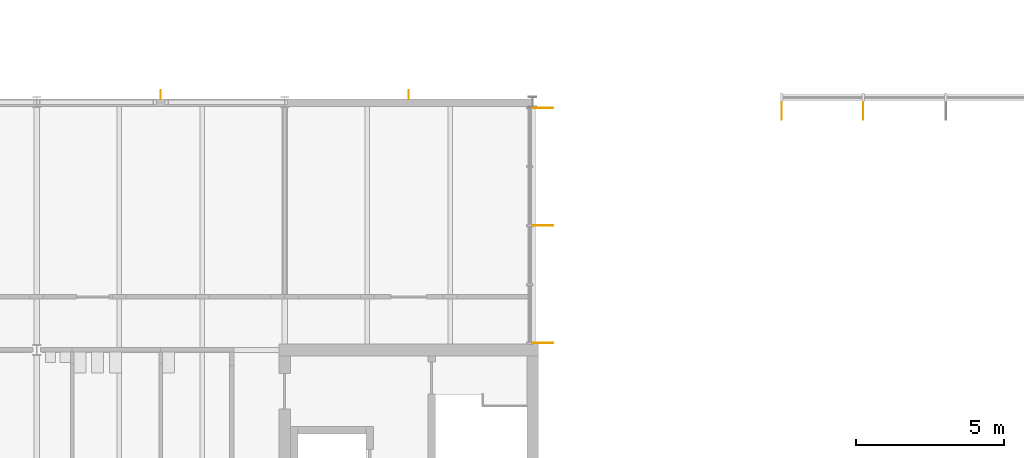
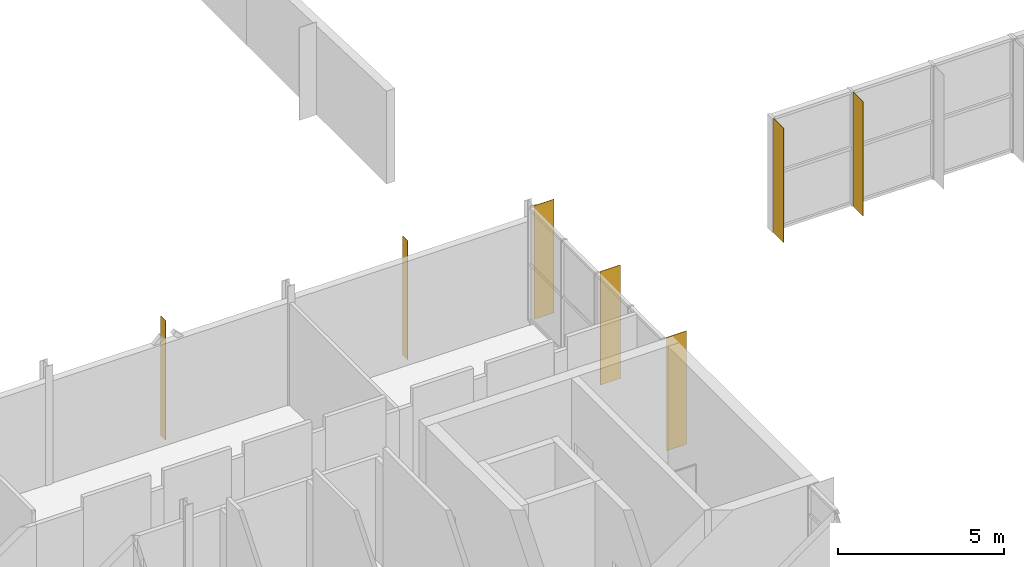
# One storey, part 63 of 72: 7 shading devices.
"""IFC4 building model written with IfcOpenShell, lengths in metres."""

import ifcopenshell
import ifcopenshell.guid

model = None  # the IFC model being written
_history = None  # IfcOwnerHistory: only IFC2X3 demands one
_inside = {}  # id of a spatial element -> (the spatial element, [elements in it])
_under = {}  # id of a project, library or spatial element -> (it, [spatial elements below it])
_declared = {}  # id of a project -> (the project, [libraries it declares])
_typed = {}  # id of a type object -> (the type object, [elements of that type])
_made_of = {}  # id of a material, layer set ... -> (it, [elements and type objects made of it])


def new_model(schema):
    """Start an empty IFC model of exactly this schema.

    Asked for "IFC4X3", IfcOpenShell would pick the latest addendum, in which some entities
    have other attributes; the version numbers below select the first issue.
    IFC2X3 requires an IfcOwnerHistory on every rooted entity: one is made here for all.
    """
    global model, _history
    if schema == "IFC4X3":
        model = ifcopenshell.file(schema_version=(4, 3, 0, 0))
    else:
        model = ifcopenshell.file(schema=schema)
    _inside.clear()
    _under.clear()
    _declared.clear()
    _typed.clear()
    _made_of.clear()
    _history = None
    if model.schema == "IFC2X3":
        org = make("IfcOrganization", Name="unknown")
        user = make(
            "IfcPersonAndOrganization",
            ThePerson=make("IfcPerson", FamilyName="unknown"),
            TheOrganization=org,
        )
        app = make(
            "IfcApplication",
            ApplicationDeveloper=org,
            Version="unknown",
            ApplicationFullName="unknown",
            ApplicationIdentifier="unknown",
        )
        _history = make(
            "IfcOwnerHistory",
            OwningUser=user,
            OwningApplication=app,
            ChangeAction="ADDED",
            CreationDate=0,
        )
    return model


def make(cls, **values):
    """One entity of the class cls with the attributes given. An attribute that is None is left unset."""
    return model.create_entity(
        cls, **{name: value for name, value in values.items() if value is not None}
    )


def rooted(cls, **values):
    """An entity with a GlobalId (a new one), such as an element, a storey or a relation."""
    return make(cls, GlobalId=ifcopenshell.guid.new(), OwnerHistory=_history, **values)


def si_unit(unit_type, name, prefix=None):
    """IfcSIUnit, for example si_unit("LENGTHUNIT", "METRE", prefix="MILLI")."""
    return make("IfcSIUnit", UnitType=unit_type, Prefix=prefix, Name=name)


def assignment(units):
    """IfcUnitAssignment: the units of a project."""
    return None if units is None else make("IfcUnitAssignment", Units=units)


def point(xyz):
    """IfcCartesianPoint."""
    return None if xyz is None else make("IfcCartesianPoint", Coordinates=xyz)


def direction(xyz):
    """IfcDirection."""
    return None if xyz is None else make("IfcDirection", DirectionRatios=xyz)


def frame(location, z_axis=None, x_axis=None):
    """IfcAxis2Placement3D, a coordinate frame: its origin and axes. An axis left out is left unset."""
    return make(
        "IfcAxis2Placement3D",
        Location=point(location),
        Axis=direction(z_axis),
        RefDirection=direction(x_axis),
    )


def frame_2d(location, x_axis=None):
    """IfcAxis2Placement2D, a coordinate frame in the plane: its origin and x axis."""
    return make(
        "IfcAxis2Placement2D", Location=point(location), RefDirection=direction(x_axis)
    )


def origin():
    """The frame at (0, 0, 0) with its axes left unset."""
    return frame((0.0, 0.0, 0.0))


def origin_2d():
    """The frame at (0, 0) in the plane with its x axis left unset."""
    return frame_2d((0.0, 0.0))


def place(relative_to, where):
    """IfcLocalPlacement: puts the frame where relative to a parent placement (None: the world)."""
    return make(
        "IfcLocalPlacement", PlacementRelTo=relative_to, RelativePlacement=where
    )


def context(
    kind, dimensions, precision=None, world=None, true_north=None, identifier=None
):
    """IfcGeometricRepresentationContext, for example the 3D "Model" context."""
    return make(
        "IfcGeometricRepresentationContext",
        ContextIdentifier=identifier,
        ContextType=kind,
        CoordinateSpaceDimension=dimensions,
        Precision=precision,
        WorldCoordinateSystem=world,
        TrueNorth=true_north,
    )


def subcontext(parent, identifier, kind, view, scale=None):
    """IfcGeometricRepresentationSubContext, for example "Body" below "Model"."""
    return make(
        "IfcGeometricRepresentationSubContext",
        ContextIdentifier=identifier,
        ContextType=kind,
        ParentContext=parent,
        TargetScale=scale,
        TargetView=view,
    )


def project(units=None, contexts=None):
    """IfcProject with its units and contexts."""
    return rooted(
        "IfcProject",
        Name="project",
        RepresentationContexts=contexts,
        UnitsInContext=assignment(units),
    )


def spatial(cls, under=None, at=None, **own):
    """A site, building, storey or space (cls), placed at a placement, below another one or the project."""
    s = rooted(cls, ObjectPlacement=at, **own)
    if under is not None:
        _under.setdefault(under.id(), (under, []))[1].append(s)
    return s


def profile(cls, at=None, kind="AREA", **sizes):
    """A parametric profile (cls). Its sizes go by their IFC names, for example OverallWidth=200.0."""
    return make(cls, ProfileType=kind, Position=at, **sizes)


def rectangle(**sizes):
    """IfcRectangleProfileDef."""
    return profile("IfcRectangleProfileDef", **sizes)


def extrude(swept, where, along, depth):
    """IfcExtrudedAreaSolid: the profile swept, set in the frame where, extruded along a direction by depth."""
    return make(
        "IfcExtrudedAreaSolid",
        SweptArea=swept,
        Position=where,
        ExtrudedDirection=direction(along),
        Depth=depth,
    )


def shape(context_of_items, identifier, shape_type, items):
    """IfcShapeRepresentation: the items that make up one representation, for example the "Body"."""
    return make(
        "IfcShapeRepresentation",
        ContextOfItems=context_of_items,
        RepresentationIdentifier=identifier,
        RepresentationType=shape_type,
        Items=items,
    )


def material(Name=None, Category=None):
    """IfcMaterial."""
    return make("IfcMaterial", Name=Name, Category=Category)


def layer(
    of_material, thickness, ventilated=None, Name=None, Category=None, Priority=None
):
    """IfcMaterialLayer: one layer of a wall or slab, of a material (None: an air gap)."""
    return make(
        "IfcMaterialLayer",
        Material=of_material,
        LayerThickness=thickness,
        IsVentilated=ventilated,
        Name=Name,
        Category=Category,
        Priority=Priority,
    )


def layer_set(layers, Name=None):
    """IfcMaterialLayerSet."""
    return make("IfcMaterialLayerSet", MaterialLayers=layers, LayerSetName=Name)


def made_of(thing, what):
    """Note that an element or type object is made of a material, layer set ...; save() writes the relation."""
    if what is not None:
        _made_of.setdefault(what.id(), (what, []))[1].append(thing)
    return thing


def type_object(cls, material=None, **own):
    """A type object (cls), such as IfcWallType, which elements share."""
    return made_of(rooted(cls, **own), material)


def element(
    cls,
    number,
    at=None,
    inside=None,
    cuts=None,
    type_object=None,
    material=None,
    context=None,
    identifier="Body",
    shape_type=None,
    held_by="IfcProductDefinitionShape",
    body=None,
    shapes=None,
    **own,
):
    """One element of the class cls, such as IfcWall. Its Tag is "e" and its number.

    at: its placement. inside: the storey or other place that contains it. cuts: it is an
    opening in that element (IfcRelVoidsElement). A single representation is given by context,
    identifier, shape_type and body (its items); several are given by shapes. held_by: the class
    of the entity that holds the representations. save() writes the other relations.
    """
    e = rooted(cls, Tag="e%d" % number, ObjectPlacement=at, **own)
    if body is not None:
        shapes = [shape(context, identifier, shape_type, body)]
    if shapes is not None:
        e.Representation = make(held_by, Representations=shapes)
    if inside is not None:
        _inside.setdefault(inside.id(), (inside, []))[1].append(e)
    if cuts is not None:
        rooted(
            "IfcRelVoidsElement", RelatingBuildingElement=cuts, RelatedOpeningElement=e
        )
    if type_object is not None:
        _typed.setdefault(type_object.id(), (type_object, []))[1].append(e)
    return made_of(e, material)


def aggregate(whole, parts):
    """IfcRelAggregates: a whole, such as a stair, and the parts it consists of."""
    return rooted("IfcRelAggregates", RelatingObject=whole, RelatedObjects=parts)


def save(model, path):
    """Write the relations noted so far, then the file.

    IfcRelAggregates (storeys below a building ...), IfcRelContainedInSpatialStructure (elements
    in a storey), IfcRelDefinesByType, IfcRelAssociatesMaterial and IfcRelDeclares: one each for
    every whole, place, type object, material and project.
    """
    for whole, parts in _under.values():
        aggregate(whole, parts)
    for where, things in _inside.values():
        rooted(
            "IfcRelContainedInSpatialStructure",
            RelatedElements=things,
            RelatingStructure=where,
        )
    for kind, things in _typed.values():
        rooted("IfcRelDefinesByType", RelatedObjects=things, RelatingType=kind)
    for what, things in _made_of.values():
        rooted("IfcRelAssociatesMaterial", RelatedObjects=things, RelatingMaterial=what)
    for by, libraries in _declared.values():
        rooted("IfcRelDeclares", RelatingContext=by, RelatedDefinitions=libraries)
    model.write(path)


model = new_model("IFC4")

# Units and contexts
model_context = context("Model", 3, precision=1e-05, world=origin(), true_north=direction((0.0, 1.0)))
body_context = subcontext(model_context, "Body", "Model", "MODEL_VIEW")
ifc_project = project(units=[si_unit("LENGTHUNIT", "METRE"), si_unit("AREAUNIT", "SQUARE_METRE"), si_unit("VOLUMEUNIT", "CUBIC_METRE"), si_unit("PLANEANGLEUNIT", "RADIAN"), si_unit("MASSUNIT", "GRAM", prefix="KILO")], contexts=[model_context])

# Site, building, storey
site_placement = place(None, origin())
site = spatial("IfcSite", under=ifc_project, at=site_placement, CompositionType="ELEMENT")
building_placement = place(site_placement, origin())
building = spatial("IfcBuilding", under=site, at=building_placement, Name="Hlaing Beacon Police Headquarters", CompositionType="ELEMENT")
storey_placement = place(building_placement, frame((0.0, 0.0, 14.39990234375)))
storey = spatial("IfcBuildingStorey", under=building, at=storey_placement, Name="L03", CompositionType="ELEMENT", Elevation=14.39990234375)

# Shading devices
ifc_material_1 = material(Name="Aluminium 6063-T5 anodised", Category="aluminium")
ifc_layer_1 = layer(ifc_material_1, 0.011962890625)
ifc_layer_set_1 = layer_set([ifc_layer_1], Name="Aluminium 6063-T5 anodised")
shading_device_type_1 = type_object("IfcShadingDeviceType", Name="Aluminium fin 12x300", PredefinedType="JALOUSIE", material=ifc_layer_set_1)
for number, where, z_axis, x_axis, name in (
    (1, (54.60009765625, 33.85009765625, 0.0), (0.0, 0.0, 1.0), (-1.0, 0.0, 0.0), "Fin L03 N005"),
    (2, (46.199951171875, 33.85009765625, 0.0), (0.0, 0.0, 1.0), (-1.0, 0.0, 0.0), "Fin L03 N006"),
):
    element("IfcShadingDevice", number, at=place(storey_placement, frame(where, z_axis=z_axis, x_axis=x_axis)), inside=storey, type_object=shading_device_type_1, Name=name, PredefinedType="JALOUSIE", context=body_context, shape_type="SweptSolid", body=[
        extrude(rectangle(XDim=0.011962890625, YDim=0.300048828125, at=origin_2d()), origin(), (0.0, 0.0, 1.0), 4.3701171875),
    ])
ifc_material_2 = material(Name="Aluminium 6063-T5 anodised", Category="aluminium")
ifc_layer_2 = layer(ifc_material_2, 0.011962890625)
ifc_layer_set_2 = layer_set([ifc_layer_2], Name="Aluminium 6063-T5 anodised")
shading_device_type_2 = type_object("IfcShadingDeviceType", Name="Aluminium fin 12x600", PredefinedType="JALOUSIE", material=ifc_layer_set_2)
for number, where, z_axis, x_axis, name in (
    (3, (67.239990234375, 33.300048828125, 0.304931640625), (0.0, 0.0, 1.0), (1.0, 0.0, 0.0), "Fin L03 S003.0"),
    (4, (70.0, 33.300048828125, 0.304931640625), (0.0, 0.0, 1.0), (1.0, 0.0, 0.0), "Fin L03 S003.1"),
):
    element("IfcShadingDevice", number, at=place(storey_placement, frame(where, z_axis=z_axis, x_axis=x_axis)), inside=storey, type_object=shading_device_type_2, Name=name, PredefinedType="JALOUSIE", context=body_context, shape_type="SweptSolid", body=[
        extrude(rectangle(XDim=0.011962890625, YDim=0.60009765625, at=origin_2d()), origin(), (0.0, 0.0, 1.0), 4.1953125),
    ])
ifc_material_3 = material(Name="Aluminium 6063-T5 anodised", Category="aluminium")
ifc_layer_3 = layer(ifc_material_3, 0.01611328125)
ifc_layer_set_3 = layer_set([ifc_layer_3], Name="Aluminium 6063-T5 anodised")
shading_device_type_3 = type_object("IfcShadingDeviceType", Name="Aluminium fin 16x700", PredefinedType="JALOUSIE", material=ifc_layer_set_3)
for number, where, z_axis, x_axis, name in (
    (5, (59.14990234375, 25.429931640625, 0.2080078125), (0.0, 0.0, 1.0), (0.0, 1.0, 0.0), "Fin L03 E014.0"),
    (6, (59.14990234375, 29.41162109375, 0.2080078125), (0.0, 0.0, 1.0), (0.0, 1.0, 0.0), "Fin L03 E014.2"),
    (7, (59.14990234375, 33.3935546875, 0.2080078125), (0.0, 0.0, 1.0), (0.0, 1.0, 0.0), "Fin L03 E014.4"),
):
    element("IfcShadingDevice", number, at=place(storey_placement, frame(where, z_axis=z_axis, x_axis=x_axis)), inside=storey, type_object=shading_device_type_3, Name=name, PredefinedType="JALOUSIE", context=body_context, shape_type="SweptSolid", body=[
        extrude(rectangle(XDim=0.01611328125, YDim=0.699951171875, at=origin_2d()), origin(), (0.0, 0.0, 1.0), 4.162109375),
    ])

save(model, "model.ifc")
